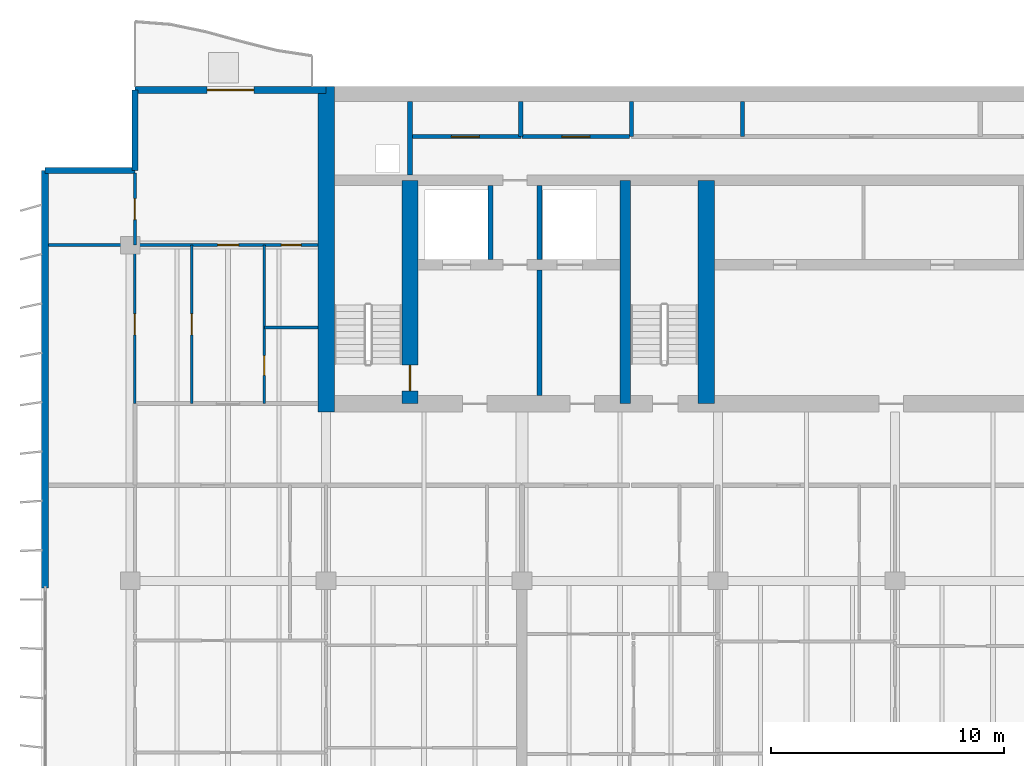
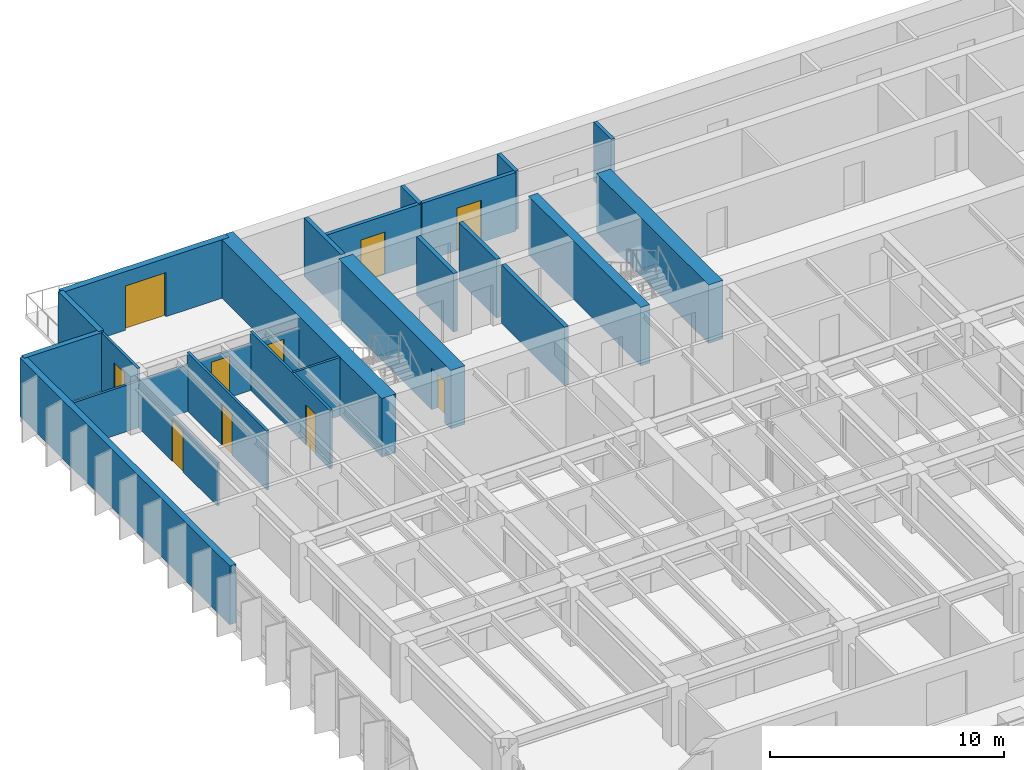
# One storey, part 13 of 19: 23 walls, 10 doors, 10 openings.
"""IFC4 building model written with IfcOpenShell, lengths in metres."""

from ifc_helpers import new_model, si_unit, direction, frame, frame_2d, origin, place, context, subcontext, project, spatial, rectangle, extrude, material, layer, layer_set, type_object, element, fill, save


model = new_model("IFC4")

# Units and contexts
model_context = context("Model", 3, precision=1e-05, world=origin(), true_north=direction((0.0, 1.0)))
body_context = subcontext(model_context, "Body", "Model", "MODEL_VIEW")
ifc_project = project(units=[si_unit("LENGTHUNIT", "METRE"), si_unit("AREAUNIT", "SQUARE_METRE"), si_unit("VOLUMEUNIT", "CUBIC_METRE"), si_unit("PLANEANGLEUNIT", "RADIAN"), si_unit("MASSUNIT", "GRAM", prefix="KILO")], contexts=[model_context])

# Site, building, storey
site_placement = place(None, origin())
site = spatial("IfcSite", under=ifc_project, at=site_placement, CompositionType="ELEMENT")
building_placement = place(site_placement, origin())
building = spatial("IfcBuilding", under=site, at=building_placement, Name="Caelmar Bay Residences", CompositionType="ELEMENT")
storey_placement = place(building_placement, frame((0.0, 0.0, 191.699951171875)))
storey = spatial("IfcBuildingStorey", under=building, at=storey_placement, Name="L53", CompositionType="ELEMENT", Elevation=191.699951171875)

# Wall
ifc_material_1 = material(Name="Concrete f'c 55 MPa (8,000 psi)", Category="concrete")
ifc_layer_1 = layer(ifc_material_1, 0.699951171875)
ifc_layer_set_1 = layer_set([ifc_layer_1], Name="Concrete f'c 55 MPa (8,000 psi)")
wall_type_1 = type_object("IfcWallType", Name="SW-COR-700", PredefinedType="SHEAR", material=ifc_layer_set_1)
wall_1_placement = place(storey_placement, frame((18.300048828125, 36.64990234375, 0.0), z_axis=(0.0, 0.0, 1.0), x_axis=(0.0, 1.0, 0.0)))
element("IfcWall", 1, at=wall_1_placement, inside=storey, type_object=wall_type_1, Name="L53 Rear Core West Shear Wall", PredefinedType="SHEAR", context=body_context, shape_type="SweptSolid", body=[
    extrude(rectangle(XDim=13.9501953125, YDim=0.699951171875, at=frame_2d((6.97509765625, 0.0))), origin(), (0.0, 0.0, 1.0), 3.050048828125),
])

# Wall, opening, door
wall_2_placement = place(storey_placement, frame((21.89990234375, 37.0, 0.0), z_axis=(0.0, 0.0, 1.0), x_axis=(0.0, 1.0, 0.0)))
wall_2 = element("IfcWall", 2, at=wall_2_placement, inside=storey, type_object=wall_type_1, Name="L53 Core Structural Web Wall ST1E", PredefinedType="SHEAR", context=body_context, shape_type="SweptSolid", body=[
    extrude(rectangle(XDim=9.574951171875, YDim=0.699951171875, at=frame_2d((4.78759765625, 0.0))), origin(), (0.0, 0.0, 1.0), 3.050048828125),
])
opening_1_placement = place(wall_2_placement, frame((0.550048828125, 0.0, 0.0)))
opening_1 = element("IfcOpeningElement", 3, at=opening_1_placement, cuts=wall_2, Name="Opening D-L53-107", PredefinedType="OPENING", context=body_context, shape_type="SweptSolid", body=[
    extrude(rectangle(XDim=1.10009765625, YDim=2.14990234375, at=frame_2d((0.550048828125, 1.074951171875))), frame((0.0, 0.35986328125, 0.0), z_axis=(0.0, -1.0, 0.0), x_axis=(1.0, 0.0, 0.0)), (0.0, 0.0, 1.0), 0.719970703125),
])
ifc_material_2 = material(Name="Fire-rated steel and walnut architectural door assembly", Category="steel")
ifc_layer_2 = layer(ifc_material_2, 0.050048828125)
ifc_layer_set_2 = layer_set([ifc_layer_2], Name="Fire-rated steel and walnut architectural door assembly")
door_type_1 = type_object("IfcDoorType", Name="D-STAIR-1100", OperationType="NOTDEFINED", PredefinedType="DOOR", material=ifc_layer_set_2)
door_1_placement = place(opening_1_placement, origin())
door_1 = element("IfcDoor", 4, at=door_1_placement, inside=storey, type_object=door_type_1, Name="L53 Firefighting Lobby West Door", OperationType="SINGLE_SWING_LEFT", OverallHeight=2.14990234375, OverallWidth=1.10009765625, PredefinedType="DOOR", context=body_context, shape_type="SweptSolid", body=[
    extrude(rectangle(XDim=1.10009765625, YDim=2.14990234375, at=frame_2d((0.550048828125, 1.074951171875))), frame((0.0, 0.02490234375, 0.0), z_axis=(0.0, -1.0, 0.0), x_axis=(1.0, 0.0, 0.0)), (0.0, 0.0, 1.0), 0.050048828125),
])
fill(opening_1, door_1)

# Walls
wall_3_placement = place(storey_placement, frame((34.60009765625, 37.0, 0.0), z_axis=(0.0, 0.0, 1.0), x_axis=(0.0, 1.0, 0.0)))
element("IfcWall", 5, at=wall_3_placement, inside=storey, type_object=wall_type_1, Name="L53 Core Structural Web Wall ST3E", PredefinedType="SHEAR", context=body_context, shape_type="SweptSolid", body=[
    extrude(rectangle(XDim=9.574951171875, YDim=0.699951171875, at=frame_2d((4.78759765625, 0.0))), origin(), (0.0, 0.0, 1.0), 3.050048828125),
])
ifc_material_3 = material(Name="Concrete f'c 70 MPa (10,000 psi)", Category="concrete")
ifc_layer_3 = layer(ifc_material_3, 0.449951171875)
ifc_layer_set_3 = layer_set([ifc_layer_3], Name="Concrete f'c 70 MPa (10,000 psi)")
wall_type_2 = type_object("IfcWallType", Name="SW-WEB-450", PredefinedType="SHEAR", material=ifc_layer_set_3)
wall_4_placement = place(storey_placement, frame((31.125, 37.0, 0.0), z_axis=(0.0, 0.0, 1.0), x_axis=(0.0, 1.0, 0.0)))
element("IfcWall", 6, at=wall_4_placement, inside=storey, type_object=wall_type_2, Name="L53 Core Structural Web Wall ST3W", PredefinedType="SHEAR", context=body_context, shape_type="SweptSolid", body=[
    extrude(rectangle(XDim=9.574951171875, YDim=0.449951171875, at=frame_2d((4.78759765625, 0.0))), origin(), (0.0, 0.0, 1.0), 3.050048828125),
])
ifc_material_4 = material(Name="Double-stud acoustic fire-rated gypsum partition 180 mm")
ifc_layer_4 = layer(ifc_material_4, 0.179931640625)
ifc_layer_set_4 = layer_set([ifc_layer_4], Name="Double-stud acoustic fire-rated gypsum partition 180 mm")
wall_type_3 = type_object("IfcWallType", Name="W-COR-200", PredefinedType="PARTITIONING", material=ifc_layer_set_4)
for number, where, z_axis, x_axis, name in (
    (7, (26.64990234375, 48.449951171875, 0.0), (0.0, 0.0, 1.0), (0.0, 1.0, 0.0), "L53 Partition Wall V026"),
    (8, (31.39990234375, 48.449951171875, 0.0), (0.0, 0.0, 1.0), (0.0, 1.0, 0.0), "L53 Partition Wall V034"),
    (9, (36.14990234375, 48.449951171875, 0.0), (0.0, 0.0, 1.0), (0.0, 1.0, 0.0), "L53 Partition Wall V047"),
):
    element("IfcWall", number, at=place(storey_placement, frame(where, z_axis=z_axis, x_axis=x_axis)), inside=storey, type_object=wall_type_3, Name=name, PredefinedType="PARTITIONING", context=body_context, shape_type="SweptSolid", body=[
        extrude(rectangle(XDim=1.505126953125, YDim=0.179931640625, at=frame_2d((0.75244140625, 0.0))), origin(), (0.0, 0.0, 1.0), 3.050048828125),
    ])

# Wall, opening, door
wall_5_placement = place(storey_placement, frame((21.89990234375, 48.449951171875, 0.0), z_axis=(0.0, 0.0, 1.0), x_axis=(1.0, 0.0, 0.0)))
wall_5 = element("IfcWall", 10, at=wall_5_placement, inside=storey, type_object=wall_type_3, Name="L53 Partition Wall H134", PredefinedType="PARTITIONING", context=body_context, shape_type="SweptSolid", body=[
    extrude(rectangle(XDim=4.75, YDim=0.179931640625, at=frame_2d((2.375, 0.0))), origin(), (0.0, 0.0, 1.0), 3.050048828125),
])
opening_2_placement = place(wall_5_placement, frame((1.77490234375, 0.0, 0.0)))
opening_2 = element("IfcOpeningElement", 11, at=opening_2_placement, cuts=wall_5, Name="Opening D-L53-118", PredefinedType="OPENING", context=body_context, shape_type="SweptSolid", body=[
    extrude(rectangle(XDim=1.199951171875, YDim=2.199951171875, at=frame_2d((0.60009765625, 1.10009765625))), frame((0.0, 0.099853515625, 0.0), z_axis=(0.0, -1.0, 0.0), x_axis=(1.0, 0.0, 0.0)), (0.0, 0.0, 1.0), 0.199951171875),
])
ifc_layer_5 = layer(ifc_material_2, 0.050048828125)
ifc_layer_set_5 = layer_set([ifc_layer_5], Name="Fire-rated steel and walnut architectural door assembly")
door_type_2 = type_object("IfcDoorType", Name="D-PLANT-1200", OperationType="NOTDEFINED", PredefinedType="DOOR", material=ifc_layer_set_5)
door_2_placement = place(opening_2_placement, origin())
door_2 = element("IfcDoor", 12, at=door_2_placement, inside=storey, type_object=door_type_2, Name="L53 Branch Panel Closet Door", OperationType="SINGLE_SWING_RIGHT", OverallHeight=2.199951171875, OverallWidth=1.199951171875, PredefinedType="DOOR", context=body_context, shape_type="SweptSolid", body=[
    extrude(rectangle(XDim=1.199951171875, YDim=2.199951171875, at=frame_2d((0.60009765625, 1.10009765625))), frame((0.0, 0.02490234375, 0.0), z_axis=(0.0, -1.0, 0.0), x_axis=(1.0, 0.0, 0.0)), (0.0, 0.0, 1.0), 0.050048828125),
])
fill(opening_2, door_2)

wall_6_placement = place(storey_placement, frame((26.699951171875, 48.449951171875, 0.0), z_axis=(0.0, 0.0, 1.0), x_axis=(1.0, 0.0, 0.0)))
wall_6 = element("IfcWall", 13, at=wall_6_placement, inside=storey, type_object=wall_type_3, Name="L53 Partition Wall H135", PredefinedType="PARTITIONING", context=body_context, shape_type="SweptSolid", body=[
    extrude(rectangle(XDim=4.6201171875, YDim=0.179931640625, at=frame_2d((2.31005859375, 0.0))), origin(), (0.0, 0.0, 1.0), 3.050048828125),
])
opening_3_placement = place(wall_6_placement, frame((1.7099609375, 0.0, 0.0)))
opening_3 = element("IfcOpeningElement", 14, at=opening_3_placement, cuts=wall_6, Name="Opening D-L53-119", PredefinedType="OPENING", context=body_context, shape_type="SweptSolid", body=[
    extrude(rectangle(XDim=1.199951171875, YDim=2.199951171875, at=frame_2d((0.60009765625, 1.10009765625))), frame((0.0, 0.099853515625, 0.0), z_axis=(0.0, -1.0, 0.0), x_axis=(1.0, 0.0, 0.0)), (0.0, 0.0, 1.0), 0.199951171875),
])
door_3_placement = place(opening_3_placement, origin())
door_3 = element("IfcDoor", 15, at=door_3_placement, inside=storey, type_object=door_type_2, Name="L53 Water Meter Closet Door", OperationType="SINGLE_SWING_LEFT", OverallHeight=2.199951171875, OverallWidth=1.199951171875, PredefinedType="DOOR", context=body_context, shape_type="SweptSolid", body=[
    extrude(rectangle(XDim=1.199951171875, YDim=2.199951171875, at=frame_2d((0.60009765625, 1.10009765625))), frame((0.0, 0.02490234375, 0.0), z_axis=(0.0, -1.0, 0.0), x_axis=(1.0, 0.0, 0.0)), (0.0, 0.0, 1.0), 0.050048828125),
])
fill(opening_3, door_3)

# Walls
ifc_material_5 = material(Name="Precast concrete f'c 40 MPa (6,000 psi)", Category="concrete")
ifc_layer_6 = layer(ifc_material_5, 0.25)
ifc_layer_set_6 = layer_set([ifc_layer_6], Name="Precast concrete f'c 40 MPa (6,000 psi)")
wall_type_4 = type_object("IfcWallType", Name="W-EXT-250", PredefinedType="ELEMENTEDWALL", material=ifc_layer_set_6)
wall_7_placement = place(storey_placement, frame((6.25, 47.0, 0.0), z_axis=(0.0, 0.0, 1.0), x_axis=(1.0, 0.0, 0.0)))
element("IfcWall", 16, at=wall_7_placement, inside=storey, type_object=wall_type_4, Name="L53 NNW-H Notch Wall", PredefinedType="ELEMENTEDWALL", context=body_context, shape_type="SweptSolid", body=[
    extrude(rectangle(XDim=3.85009765625, YDim=0.25, at=frame_2d((1.925048828125, 0.0))), origin(), (0.0, 0.0, 1.0), 3.050048828125),
])
wall_8_placement = place(storey_placement, frame((10.10009765625, 47.0, 0.0), z_axis=(0.0, 0.0, 1.0), x_axis=(0.0, 1.0, 0.0)))
element("IfcWall", 17, at=wall_8_placement, inside=storey, type_object=wall_type_4, Name="L53 NNW-V Notch Wall", PredefinedType="ELEMENTEDWALL", context=body_context, shape_type="SweptSolid", body=[
    extrude(rectangle(XDim=3.449951171875, YDim=0.25, at=frame_2d((1.72509765625, 0.0))), origin(), (0.0, 0.0, 1.0), 3.050048828125),
])
ifc_layer_7 = layer(ifc_material_5, 0.300048828125)
ifc_layer_set_7 = layer_set([ifc_layer_7], Name="Precast concrete f'c 40 MPa (6,000 psi)")
wall_type_5 = type_object("IfcWallType", Name="W-EXT-300", PredefinedType="STANDARD", material=ifc_layer_set_7)
wall_9_placement = place(storey_placement, frame((6.25, 29.10009765625, 0.0), z_axis=(0.0, 0.0, 1.0), x_axis=(0.0, 1.0, 0.0)))
element("IfcWall", 18, at=wall_9_placement, inside=storey, type_object=wall_type_5, Name="L53 West Rear Exterior Wall", PredefinedType="STANDARD", context=body_context, shape_type="SweptSolid", body=[
    extrude(rectangle(XDim=17.89990234375, YDim=0.300048828125, at=frame_2d((8.949951171875, 0.0))), origin(), (0.0, 0.0, 1.0), 3.050048828125),
])

# Wall, opening, door
wall_10_placement = place(storey_placement, frame((10.10009765625, 50.449951171875, 0.0), z_axis=(0.0, 0.0, 1.0), x_axis=(1.0, 0.0, 0.0)))
wall_10 = element("IfcWall", 19, at=wall_10_placement, inside=storey, type_object=wall_type_5, Name="L53 North-West Wing Exterior Wall", PredefinedType="STANDARD", context=body_context, shape_type="SweptSolid", body=[
    extrude(rectangle(XDim=8.199951171875, YDim=0.300048828125, at=frame_2d((4.10009765625, 0.0))), origin(), (0.0, 0.0, 1.0), 3.050048828125),
])
opening_4_placement = place(wall_10_placement, frame((3.10009765625, 0.0, 0.0)))
opening_4 = element("IfcOpeningElement", 20, at=opening_4_placement, cuts=wall_10, Name="Opening L53-BDNW", PredefinedType="OPENING", context=body_context, shape_type="SweptSolid", body=[
    extrude(rectangle(XDim=2.0, YDim=2.300048828125, at=frame_2d((1.0, 1.14990234375))), frame((0.0, 0.159912109375, 0.0), z_axis=(0.0, -1.0, 0.0), x_axis=(1.0, 0.0, 0.0)), (0.0, 0.0, 1.0), 0.320068359375),
])
ifc_material_6 = material(Name="Anodised bronze thermally broken sliding glass door", Category="glass")
ifc_layer_8 = layer(ifc_material_6, 0.050048828125)
ifc_layer_set_8 = layer_set([ifc_layer_8], Name="Anodised bronze thermally broken sliding glass door")
door_type_3 = type_object("IfcDoorType", Name="D-BAL-2000", OperationType="DOUBLE_DOOR_SLIDING", PredefinedType="DOOR", material=ifc_layer_set_8)
door_4_placement = place(opening_4_placement, origin())
door_4 = element("IfcDoor", 21, at=door_4_placement, inside=storey, type_object=door_type_3, Name="L53 North-West Balcony Door", OperationType="DOUBLE_DOOR_SLIDING", OverallHeight=2.300048828125, OverallWidth=2.0, PredefinedType="DOOR", context=body_context, shape_type="SweptSolid", body=[
    extrude(rectangle(XDim=2.0, YDim=2.300048828125, at=frame_2d((1.0, 1.14990234375))), frame((0.0, 0.02490234375, 0.0), z_axis=(0.0, -1.0, 0.0), x_axis=(1.0, 0.0, 0.0)), (0.0, 0.0, 1.0), 0.050048828125),
])
fill(opening_4, door_4)

# Walls
ifc_material_7 = material(Name="Fire-rated masonry and gypsum shaftliner assembly 200 mm", Category="masonry")
ifc_layer_9 = layer(ifc_material_7, 0.199951171875)
ifc_layer_set_9 = layer_set([ifc_layer_9], Name="Fire-rated masonry and gypsum shaftliner assembly 200 mm")
wall_type_6 = type_object("IfcWallType", Name="W-FSAE-200", PredefinedType="PARTITIONING", material=ifc_layer_set_9)
wall_11_placement = place(storey_placement, frame((21.89990234375, 46.794921875, 0.0), z_axis=(0.0, 0.0, 1.0), x_axis=(0.0, 1.0, 0.0)))
element("IfcWall", 22, at=wall_11_placement, inside=storey, type_object=wall_type_6, Name="L53 Partition Wall V021", PredefinedType="PARTITIONING", context=body_context, shape_type="SweptSolid", body=[
    extrude(rectangle(XDim=3.16015625, YDim=0.199951171875, at=frame_2d((1.580078125, 0.0))), origin(), (0.0, 0.0, 1.0), 3.050048828125),
])
wall_12_placement = place(storey_placement, frame((25.35009765625, 43.169921875, 0.0), z_axis=(0.0, 0.0, 1.0), x_axis=(0.0, 1.0, 0.0)))
element("IfcWall", 23, at=wall_12_placement, inside=storey, type_object=wall_type_6, Name="L53 Partition Wall V025", PredefinedType="PARTITIONING", context=body_context, shape_type="SweptSolid", body=[
    extrude(rectangle(XDim=3.18505859375, YDim=0.199951171875, at=frame_2d((1.592529296875, 0.0))), origin(), (0.0, 0.0, 1.0), 3.050048828125),
])
wall_13_placement = place(storey_placement, frame((27.449951171875, 37.344970703125, 0.0), z_axis=(0.0, 0.0, 1.0), x_axis=(0.0, 1.0, 0.0)))
element("IfcWall", 24, at=wall_13_placement, inside=storey, type_object=wall_type_6, Name="L53 Partition Wall V030", PredefinedType="PARTITIONING", context=body_context, shape_type="SweptSolid", body=[
    extrude(rectangle(XDim=5.385009765625, YDim=0.199951171875, at=frame_2d((2.6923828125, 0.0))), origin(), (0.0, 0.0, 1.0), 3.050048828125),
])
wall_14_placement = place(storey_placement, frame((27.449951171875, 43.169921875, 0.0), z_axis=(0.0, 0.0, 1.0), x_axis=(0.0, 1.0, 0.0)))
element("IfcWall", 25, at=wall_14_placement, inside=storey, type_object=wall_type_6, Name="L53 Partition Wall V031", PredefinedType="PARTITIONING", context=body_context, shape_type="SweptSolid", body=[
    extrude(rectangle(XDim=3.18505859375, YDim=0.199951171875, at=frame_2d((1.592529296875, 0.0))), origin(), (0.0, 0.0, 1.0), 3.050048828125),
])

# Wall, opening, door
ifc_material_8 = material(Name="Anodised bronze framed acoustic sliding study partition 100 mm")
ifc_layer_10 = layer(ifc_material_8, 0.10009765625)
ifc_layer_set_10 = layer_set([ifc_layer_10], Name="Anodised bronze framed acoustic sliding study partition 100 mm")
wall_type_7 = type_object("IfcWallType", Name="W-MOV-100", PredefinedType="MOVABLE", material=ifc_layer_set_10)
wall_15_placement = place(storey_placement, frame((10.10009765625, 37.0048828125, 0.0), z_axis=(0.0, 0.0, 1.0), x_axis=(0.0, 1.0, 0.0)))
wall_15 = element("IfcWall", 26, at=wall_15_placement, inside=storey, type_object=wall_type_7, Name="L53 Partition Wall V008", PredefinedType="MOVABLE", context=body_context, shape_type="SweptSolid", body=[
    extrude(rectangle(XDim=6.795166015625, YDim=0.10009765625, at=frame_2d((3.3974609375, 0.0))), origin(), (0.0, 0.0, 1.0), 2.262939453125),
])
opening_5_placement = place(wall_15_placement, frame((2.947509765625, 0.0, 0.0)))
opening_5 = element("IfcOpeningElement", 27, at=opening_5_placement, cuts=wall_15, Name="Opening D-L53-168", PredefinedType="OPENING", context=body_context, shape_type="SweptSolid", body=[
    extrude(rectangle(XDim=0.89990234375, YDim=2.14990234375, at=frame_2d((0.449951171875, 1.074951171875))), frame((0.0, 0.06005859375, 0.0), z_axis=(0.0, -1.0, 0.0), x_axis=(1.0, 0.0, 0.0)), (0.0, 0.0, 1.0), 0.1201171875),
])
ifc_material_9 = material(Name="Solid walnut timber interior door leaf and frame", Category="wood")
ifc_layer_11 = layer(ifc_material_9, 0.050048828125)
ifc_layer_set_11 = layer_set([ifc_layer_11], Name="Solid walnut timber interior door leaf and frame")
door_type_4 = type_object("IfcDoorType", Name="D-ROOM-900", OperationType="NOTDEFINED", PredefinedType="DOOR", material=ifc_layer_set_11)
door_5_placement = place(opening_5_placement, origin())
door_5 = element("IfcDoor", 28, at=door_5_placement, inside=storey, type_object=door_type_4, Name="L53 Residence WA Sun Study Door", OperationType="SINGLE_SWING_RIGHT", OverallHeight=2.14990234375, OverallWidth=0.89990234375, PredefinedType="DOOR", context=body_context, shape_type="SweptSolid", body=[
    extrude(rectangle(XDim=0.89990234375, YDim=2.14990234375, at=frame_2d((0.449951171875, 1.074951171875))), frame((0.0, 0.02490234375, 0.0), z_axis=(0.0, -1.0, 0.0), x_axis=(1.0, 0.0, 0.0)), (0.0, 0.0, 1.0), 0.050048828125),
])
fill(opening_5, door_5)

ifc_material_10 = material(Name="Acoustic metal-stud gypsum partition 120 mm")
ifc_layer_12 = layer(ifc_material_10, 0.1201171875)
ifc_layer_set_12 = layer_set([ifc_layer_12], Name="Acoustic metal-stud gypsum partition 120 mm")
wall_type_8 = type_object("IfcWallType", Name="W-PRT-120", PredefinedType="PARTITIONING", material=ifc_layer_set_12)
wall_16_placement = place(storey_placement, frame((10.10009765625, 43.804931640625, 0.0), z_axis=(0.0, 0.0, 1.0), x_axis=(0.0, 1.0, 0.0)))
wall_16 = element("IfcWall", 29, at=wall_16_placement, inside=storey, type_object=wall_type_8, Name="L53 Partition Wall V009", PredefinedType="PARTITIONING", context=body_context, shape_type="SweptSolid", body=[
    extrude(rectangle(XDim=3.074951171875, YDim=0.1201171875, at=frame_2d((1.53759765625, 0.0))), origin(), (0.0, 0.0, 1.0), 3.050048828125),
])
opening_6_placement = place(wall_16_placement, frame((1.08740234375, 0.0, 0.0)))
opening_6 = element("IfcOpeningElement", 30, at=opening_6_placement, cuts=wall_16, Name="Opening D-L53-169", PredefinedType="OPENING", context=body_context, shape_type="SweptSolid", body=[
    extrude(rectangle(XDim=0.89990234375, YDim=2.14990234375, at=frame_2d((0.449951171875, 1.074951171875))), frame((0.0, 0.070068359375, 0.0), z_axis=(0.0, -1.0, 0.0), x_axis=(1.0, 0.0, 0.0)), (0.0, 0.0, 1.0), 0.14013671875),
])
door_6_placement = place(opening_6_placement, origin())
door_6 = element("IfcDoor", 31, at=door_6_placement, inside=storey, type_object=door_type_4, Name="L53 Residence WA North Sitting Alcove Door", OperationType="SINGLE_SWING_LEFT", OverallHeight=2.14990234375, OverallWidth=0.89990234375, PredefinedType="DOOR", context=body_context, shape_type="SweptSolid", body=[
    extrude(rectangle(XDim=0.89990234375, YDim=2.14990234375, at=frame_2d((0.449951171875, 1.074951171875))), frame((0.0, 0.02490234375, 0.0), z_axis=(0.0, -1.0, 0.0), x_axis=(1.0, 0.0, 0.0)), (0.0, 0.0, 1.0), 0.050048828125),
])
fill(opening_6, door_6)

wall_17_placement = place(storey_placement, frame((12.5419921875, 37.0, 0.0), z_axis=(0.0, 0.0, 1.0), x_axis=(0.0, 1.0, 0.0)))
wall_17 = element("IfcWall", 32, at=wall_17_placement, inside=storey, type_object=wall_type_8, Name="L53 Partition Wall V010", PredefinedType="PARTITIONING", context=body_context, shape_type="SweptSolid", body=[
    extrude(rectangle(XDim=6.800048828125, YDim=0.1201171875, at=frame_2d((3.39990234375, 0.0))), origin(), (0.0, 0.0, 1.0), 3.050048828125),
])
opening_7_placement = place(wall_17_placement, frame((2.949951171875, 0.0, 0.0)))
opening_7 = element("IfcOpeningElement", 33, at=opening_7_placement, cuts=wall_17, Name="Opening D-L53-163", PredefinedType="OPENING", context=body_context, shape_type="SweptSolid", body=[
    extrude(rectangle(XDim=0.89990234375, YDim=2.14990234375, at=frame_2d((0.449951171875, 1.074951171875))), frame((0.0, 0.070068359375, 0.0), z_axis=(0.0, -1.0, 0.0), x_axis=(1.0, 0.0, 0.0)), (0.0, 0.0, 1.0), 0.14013671875),
])
door_7_placement = place(opening_7_placement, origin())
door_7 = element("IfcDoor", 34, at=door_7_placement, inside=storey, type_object=door_type_4, Name="L53 Residence WA Dining Room Door", OperationType="SINGLE_SWING_LEFT", OverallHeight=2.14990234375, OverallWidth=0.89990234375, PredefinedType="DOOR", context=body_context, shape_type="SweptSolid", body=[
    extrude(rectangle(XDim=0.89990234375, YDim=2.14990234375, at=frame_2d((0.449951171875, 1.074951171875))), frame((0.0, 0.02490234375, 0.0), z_axis=(0.0, -1.0, 0.0), x_axis=(1.0, 0.0, 0.0)), (0.0, 0.0, 1.0), 0.050048828125),
])
fill(opening_7, door_7)

wall_18_placement = place(storey_placement, frame((15.64990234375, 37.0, 0.0), z_axis=(0.0, 0.0, 1.0), x_axis=(0.0, 1.0, 0.0)))
wall_18 = element("IfcWall", 35, at=wall_18_placement, inside=storey, type_object=wall_type_8, Name="L53 Partition Wall V011", PredefinedType="PARTITIONING", context=body_context, shape_type="SweptSolid", body=[
    extrude(rectangle(XDim=6.800048828125, YDim=0.1201171875, at=frame_2d((3.39990234375, 0.0))), origin(), (0.0, 0.0, 1.0), 3.050048828125),
])
opening_8_placement = place(wall_18_placement, frame((1.20703125, 0.0, 0.0)))
opening_8 = element("IfcOpeningElement", 36, at=opening_8_placement, cuts=wall_18, Name="Opening D-L53-166", PredefinedType="OPENING", context=body_context, shape_type="SweptSolid", body=[
    extrude(rectangle(XDim=0.85009765625, YDim=2.10009765625, at=frame_2d((0.425048828125, 1.050048828125))), frame((0.0, 0.070068359375, 0.0), z_axis=(0.0, -1.0, 0.0), x_axis=(1.0, 0.0, 0.0)), (0.0, 0.0, 1.0), 0.14013671875),
])
ifc_layer_13 = layer(ifc_material_9, 0.050048828125)
ifc_layer_set_13 = layer_set([ifc_layer_13], Name="Solid walnut timber interior door leaf and frame")
door_type_5 = type_object("IfcDoorType", Name="D-BATH-850", OperationType="NOTDEFINED", PredefinedType="DOOR", material=ifc_layer_set_13)
door_8_placement = place(opening_8_placement, origin())
door_8 = element("IfcDoor", 37, at=door_8_placement, inside=storey, type_object=door_type_5, Name="L53 Residence WA Walk-In Closet Door", OperationType="SINGLE_SWING_RIGHT", OverallHeight=2.10009765625, OverallWidth=0.85009765625, PredefinedType="DOOR", context=body_context, shape_type="SweptSolid", body=[
    extrude(rectangle(XDim=0.85009765625, YDim=2.10009765625, at=frame_2d((0.425048828125, 1.050048828125))), frame((0.0, 0.02490234375, 0.0), z_axis=(0.0, -1.0, 0.0), x_axis=(1.0, 0.0, 0.0)), (0.0, 0.0, 1.0), 0.050048828125),
])
fill(opening_8, door_8)

# Wall
wall_19_placement = place(storey_placement, frame((15.64990234375, 40.263916015625, 0.0), z_axis=(0.0, 0.0, 1.0), x_axis=(1.0, 0.0, 0.0)))
element("IfcWall", 38, at=wall_19_placement, inside=storey, type_object=wall_type_8, Name="L53 Partition Wall H130", PredefinedType="PARTITIONING", context=body_context, shape_type="SweptSolid", body=[
    extrude(rectangle(XDim=2.30517578125, YDim=0.1201171875, at=frame_2d((1.152587890625, 0.0))), origin(), (0.0, 0.0, 1.0), 3.050048828125),
])

# Wall, openings, doors
wall_20_placement = place(storey_placement, frame((6.39501953125, 43.800048828125, 0.0), z_axis=(0.0, 0.0, 1.0), x_axis=(1.0, 0.0, 0.0)))
wall_20 = element("IfcWall", 39, at=wall_20_placement, inside=storey, type_object=wall_type_8, Name="L53 Partition Wall H132", PredefinedType="PARTITIONING", context=body_context, shape_type="SweptSolid", body=[
    extrude(rectangle(XDim=11.56005859375, YDim=0.1201171875, at=frame_2d((5.780029296875, 0.0))), origin(), (0.0, 0.0, 1.0), 2.41796875),
])
opening_9_placement = place(wall_20_placement, frame((7.2509765625, 0.0, 0.0)))
opening_9 = element("IfcOpeningElement", 40, at=opening_9_placement, cuts=wall_20, Name="Opening D-L53-165", PredefinedType="OPENING", context=body_context, shape_type="SweptSolid", body=[
    extrude(rectangle(XDim=0.89990234375, YDim=2.14990234375, at=frame_2d((0.449951171875, 1.074951171875))), frame((0.0, 0.070068359375, 0.0), z_axis=(0.0, -1.0, 0.0), x_axis=(1.0, 0.0, 0.0)), (0.0, 0.0, 1.0), 0.14013671875),
])
opening_10_placement = place(wall_20_placement, frame((9.982421875, 0.0, 0.0)))
opening_10 = element("IfcOpeningElement", 41, at=opening_10_placement, cuts=wall_20, Name="Opening D-L53-167", PredefinedType="OPENING", context=body_context, shape_type="SweptSolid", body=[
    extrude(rectangle(XDim=0.85009765625, YDim=2.10009765625, at=frame_2d((0.425048828125, 1.050048828125))), frame((0.0, 0.070068359375, 0.0), z_axis=(0.0, -1.0, 0.0), x_axis=(1.0, 0.0, 0.0)), (0.0, 0.0, 1.0), 0.14013671875),
])
door_9_placement = place(opening_10_placement, origin())
door_9 = element("IfcDoor", 42, at=door_9_placement, inside=storey, type_object=door_type_5, Name="L53 Residence WA Bathroom Door", OperationType="SINGLE_SWING_LEFT", OverallHeight=2.10009765625, OverallWidth=0.85009765625, PredefinedType="DOOR", context=body_context, shape_type="SweptSolid", body=[
    extrude(rectangle(XDim=0.85009765625, YDim=2.10009765625, at=frame_2d((0.425048828125, 1.050048828125))), frame((0.0, 0.02490234375, 0.0), z_axis=(0.0, -1.0, 0.0), x_axis=(1.0, 0.0, 0.0)), (0.0, 0.0, 1.0), 0.050048828125),
])
fill(opening_10, door_9)
door_10_placement = place(opening_9_placement, origin())
door_10 = element("IfcDoor", 43, at=door_10_placement, inside=storey, type_object=door_type_4, Name="L53 Residence WA Studio Living and Sleeping Room Door", OperationType="SINGLE_SWING_LEFT", OverallHeight=2.14990234375, OverallWidth=0.89990234375, PredefinedType="DOOR", context=body_context, shape_type="SweptSolid", body=[
    extrude(rectangle(XDim=0.89990234375, YDim=2.14990234375, at=frame_2d((0.449951171875, 1.074951171875))), frame((0.0, 0.02490234375, 0.0), z_axis=(0.0, -1.0, 0.0), x_axis=(1.0, 0.0, 0.0)), (0.0, 0.0, 1.0), 0.050048828125),
])
fill(opening_9, door_10)

save(model, "model.ifc")
